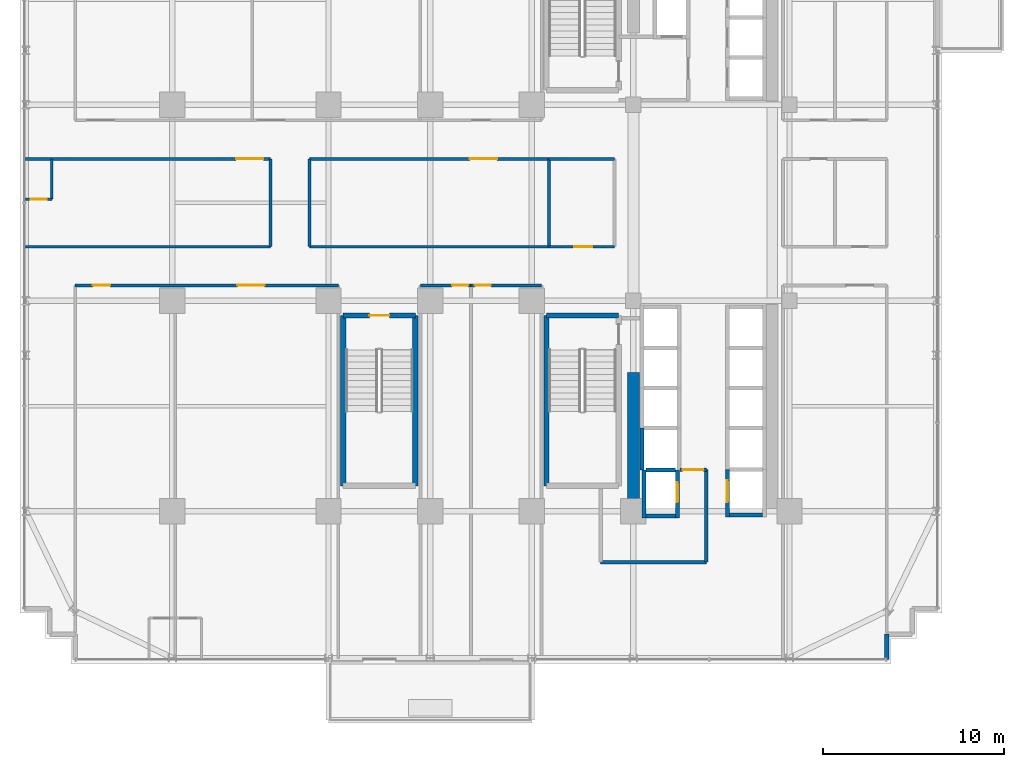
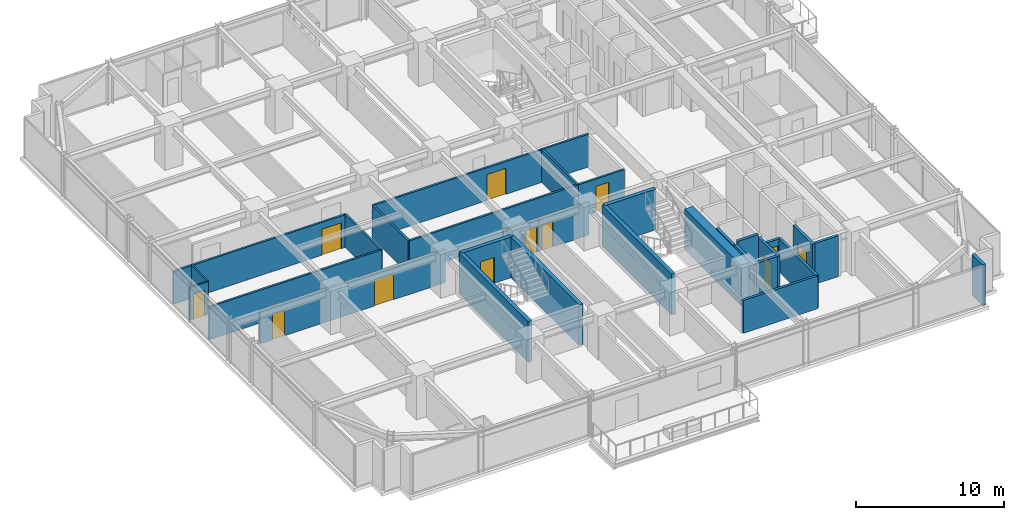
# One storey, part 30 of 36: 31 walls, 12 doors, 12 openings.
"""IFC4 building model written with IfcOpenShell, lengths in metres."""

from ifc_helpers import new_model, si_unit, direction, frame, frame_2d, origin, place, context, subcontext, project, spatial, rectangle, extrude, source, transform, mapped, material, layer, layer_set, type_object, element, fill, save


model = new_model("IFC4")

# Units and contexts
model_context = context("Model", 3, precision=1e-05, world=origin(), true_north=direction((0.0, 1.0)))
body_context = subcontext(model_context, "Body", "Model", "MODEL_VIEW")
ifc_project = project(units=[si_unit("LENGTHUNIT", "METRE"), si_unit("AREAUNIT", "SQUARE_METRE"), si_unit("VOLUMEUNIT", "CUBIC_METRE"), si_unit("PLANEANGLEUNIT", "RADIAN"), si_unit("MASSUNIT", "GRAM", prefix="KILO")], contexts=[model_context])

# Site, building, storey
site_placement = place(None, origin())
site = spatial("IfcSite", under=ifc_project, at=site_placement, CompositionType="ELEMENT")
building_placement = place(site_placement, origin())
building = spatial("IfcBuilding", under=site, at=building_placement, Name="Nahalor Promenade Grand Hotel", CompositionType="ELEMENT")
storey_placement = place(building_placement, frame((0.0, 0.0, 72.550048828125)))
storey = spatial("IfcBuildingStorey", under=building, at=storey_placement, Name="L17", CompositionType="ELEMENT", Elevation=72.550048828125)

# Walls
ifc_material_1 = material(Name="Concrete B-60 (C50/60)", Category="concrete")
ifc_layer_1 = layer(ifc_material_1, 0.64990234375)
ifc_layer_set_1 = layer_set([ifc_layer_1], Name="Concrete B-60 (C50/60)")
wall_type_1 = type_object("IfcWallType", Name="Wall-CoreShear-650", PredefinedType="SHEAR", material=ifc_layer_set_1)
shared_shape_1 = source(origin(), body_context, "Body", "SweptSolid", [
    extrude(rectangle(XDim=7.64990234375, YDim=0.64990234375, at=frame_2d((3.824951171875, 0.0))), origin(), (0.0, 0.0, 1.0), 3.369873046875),
])
wall_1_placement = place(storey_placement, frame((8.39990234375, -17.0, 0.0), z_axis=(0.0, 0.0, 1.0), x_axis=(0.0, 1.0, 0.0)))
element("IfcWall", 1, at=wall_1_placement, inside=storey, type_object=wall_type_1, Name="CWALL-L17-SW", PredefinedType="SHEAR", context=body_context, shape_type="MappedRepresentation", body=[
    mapped(shared_shape_1, transform((0.0, 0.0, 0.0), scale=1.0)),
])
ifc_material_2 = material(Name="Concrete B-50 (C40/50)", Category="concrete")
ifc_layer_2 = layer(ifc_material_2, 0.300048828125)
ifc_layer_set_2 = layer_set([ifc_layer_2], Name="Concrete B-50 (C40/50)")
wall_type_2 = type_object("IfcWallType", Name="Wall-ShaftShear-300", PredefinedType="SHEAR", material=ifc_layer_set_2)
shared_shape_2 = source(origin(), body_context, "Body", "SweptSolid", [
    extrude(rectangle(XDim=3.97998046875, YDim=0.300048828125, at=frame_2d((1.989990234375, 0.0))), origin(), (0.0, 0.0, 1.0), 3.369873046875),
])
wall_2_placement = place(storey_placement, frame((3.610107421875, -6.2099609375, 0.0), z_axis=(0.0, 0.0, 1.0), x_axis=(1.0, 0.0, 0.0)))
element("IfcWall", 2, at=wall_2_placement, inside=storey, type_object=wall_type_2, Name="L17 Exit Stair ST2 Shaft Wall N", PredefinedType="SHEAR", context=body_context, shape_type="MappedRepresentation", body=[
    mapped(shared_shape_2, transform((0.0, 0.0, 0.0), scale=1.0)),
])

# Wall, opening, door
wall_3_placement = place(storey_placement, frame((-7.590087890625, -6.2099609375, 0.0), z_axis=(0.0, 0.0, 1.0), x_axis=(1.0, 0.0, 0.0)))
wall_3 = element("IfcWall", 3, at=wall_3_placement, inside=storey, type_object=wall_type_2, Name="L17 Exit Stair ST3 Shaft Wall N", PredefinedType="SHEAR", context=body_context, shape_type="MappedRepresentation", body=[
    mapped(shared_shape_2, transform((0.0, 0.0, 0.0), scale=1.0)),
])
opening_1_placement = place(wall_3_placement, frame((1.43994140625, 0.0, 0.0)))
opening_1 = element("IfcOpeningElement", 4, at=opening_1_placement, cuts=wall_3, Name="Opening D-ST1", PredefinedType="OPENING", context=body_context, shape_type="SweptSolid", body=[
    extrude(rectangle(XDim=1.10009765625, YDim=2.14990234375, at=frame_2d((0.550048828125, 1.074951171875))), frame((0.0, 0.159912109375, 0.0), z_axis=(0.0, -1.0, 0.0), x_axis=(1.0, 0.0, 0.0)), (0.0, 0.0, 1.0), 0.320068359375),
])
ifc_material_3 = material(Name="Steel S355JR", Category="steel")
door_type_1 = type_object("IfcDoorType", Name="Door-StairFire-1100", OperationType="NOTDEFINED", PredefinedType="DOOR", material=ifc_material_3)
shared_shape_3 = source(origin(), body_context, "Body", "SweptSolid", [
    extrude(rectangle(XDim=1.10009765625, YDim=2.14990234375, at=frame_2d((0.550048828125, 1.074951171875))), frame((0.0, 0.02490234375, 0.0), z_axis=(0.0, -1.0, 0.0), x_axis=(1.0, 0.0, 0.0)), (0.0, 0.0, 1.0), 0.050048828125),
])
door_1_placement = place(opening_1_placement, frame((1.10009765625, 0.0, 0.0), z_axis=(0.0, 0.0, 1.0), x_axis=(-1.0, 0.0, 0.0)))
door_1 = element("IfcDoor", 5, at=door_1_placement, inside=storey, type_object=door_type_1, Name="DR-STAIR-ST3-L17", OperationType="SINGLE_SWING_RIGHT", OverallHeight=2.14990234375, OverallWidth=1.10009765625, PredefinedType="DOOR", context=body_context, shape_type="MappedRepresentation", body=[
    mapped(shared_shape_3, transform((0.0, 0.0, 0.0), scale=1.0)),
])
fill(opening_1, door_1)

# Walls
shared_shape_4 = source(origin(), body_context, "Body", "SweptSolid", [
    extrude(rectangle(XDim=9.380126953125, YDim=0.300048828125, at=frame_2d((4.68994140625, 0.0))), origin(), (0.0, 0.0, 1.0), 3.369873046875),
])
for number, where, z_axis, x_axis, name in (
    (6, (3.610107421875, -15.590087890625, 0.0), (0.0, 0.0, 1.0), (0.0, 1.0, 0.0), "L17 Exit Stair ST2 Shaft Wall W"),
    (7, (-7.590087890625, -15.590087890625, 0.0), (0.0, 0.0, 1.0), (0.0, 1.0, 0.0), "L17 Exit Stair ST3 Shaft Wall W"),
    (8, (-3.610107421875, -15.590087890625, 0.0), (0.0, 0.0, 1.0), (0.0, 1.0, 0.0), "L17 Exit Stair ST3 Shaft Wall E"),
):
    element("IfcWall", number, at=place(storey_placement, frame(where, z_axis=z_axis, x_axis=x_axis)), inside=storey, type_object=wall_type_2, Name=name, PredefinedType="SHEAR", context=body_context, shape_type="MappedRepresentation", body=[
        mapped(shared_shape_4, transform((0.0, 0.0, 0.0), scale=1.0)),
    ])
ifc_layer_3 = layer(ifc_material_2, 0.219970703125)
ifc_layer_set_3 = layer_set([ifc_layer_3], Name="Concrete B-50 (C40/50)")
wall_type_3 = type_object("IfcWallType", Name="Wall-LiftShaft-220", PredefinedType="SHEAR", material=ifc_layer_set_3)
shared_shape_5 = source(origin(), body_context, "Body", "SweptSolid", [
    extrude(rectangle(XDim=1.820068359375, YDim=0.219970703125, at=frame_2d((0.91015625, 0.0))), origin(), (0.0, 0.0, 1.0), 3.369873046875),
])
wall_4_placement = place(storey_placement, frame((13.68994140625, -17.199951171875, 0.0), z_axis=(0.0, 0.0, 1.0), x_axis=(1.0, 0.0, 0.0)))
element("IfcWall", 9, at=wall_4_placement, inside=storey, type_object=wall_type_3, Name="L17 Lift SV2 Hoistway Wall S", PredefinedType="SHEAR", context=body_context, shape_type="MappedRepresentation", body=[
    mapped(shared_shape_5, transform((0.0, 0.0, 0.0), scale=1.0)),
])
shared_shape_6 = source(origin(), body_context, "Body", "SweptSolid", [
    extrude(rectangle(XDim=2.3251953125, YDim=0.219970703125, at=frame_2d((1.16259765625, 0.0))), origin(), (0.0, 0.0, 1.0), 3.369873046875),
])
wall_5_placement = place(storey_placement, frame((8.8798828125, -14.72509765625, 0.0), z_axis=(0.0, 0.0, 1.0), x_axis=(0.0, 1.0, 0.0)))
element("IfcWall", 10, at=wall_5_placement, inside=storey, type_object=wall_type_3, Name="L17 Lift PL12 Hoistway Wall W", PredefinedType="SHEAR", context=body_context, shape_type="MappedRepresentation", body=[
    mapped(shared_shape_6, transform((0.0, 0.0, 0.0), scale=1.0)),
])
shared_shape_7 = source(origin(), body_context, "Body", "SweptSolid", [
    extrude(rectangle(XDim=2.635009765625, YDim=0.219970703125, at=frame_2d((1.3173828125, 0.0))), origin(), (0.0, 0.0, 1.0), 3.369873046875),
])
wall_6_placement = place(storey_placement, frame((8.97998046875, -17.360107421875, 0.0), z_axis=(0.0, 0.0, 1.0), x_axis=(0.0, 1.0, 0.0)))
element("IfcWall", 11, at=wall_6_placement, inside=storey, type_object=wall_type_3, Name="L17 Lift FL2 Hoistway Wall W", PredefinedType="SHEAR", context=body_context, shape_type="MappedRepresentation", body=[
    mapped(shared_shape_7, transform((0.0, 0.0, 0.0), scale=1.0)),
])

# Wall, opening, door
wall_7_placement = place(storey_placement, frame((10.820068359375, -17.360107421875, 0.0), z_axis=(0.0, 0.0, 1.0), x_axis=(0.0, 1.0, 0.0)))
wall_7 = element("IfcWall", 12, at=wall_7_placement, inside=storey, type_object=wall_type_3, Name="L17 Lift FL2 Hoistway Wall E", PredefinedType="SHEAR", context=body_context, shape_type="MappedRepresentation", body=[
    mapped(shared_shape_7, transform((0.0, 0.0, 0.0), scale=1.0)),
])
opening_2_placement = place(wall_7_placement, frame((0.860107421875, 0.0, 0.0)))
opening_2 = element("IfcOpeningElement", 13, at=opening_2_placement, cuts=wall_7, Name="Opening LD-02", PredefinedType="OPENING", context=body_context, shape_type="SweptSolid", body=[
    extrude(rectangle(XDim=1.10009765625, YDim=2.199951171875, at=frame_2d((0.550048828125, 1.10009765625))), frame((0.0, 0.119873046875, 0.0), z_axis=(0.0, -1.0, 0.0), x_axis=(1.0, 0.0, 0.0)), (0.0, 0.0, 1.0), 0.239990234375),
])
door_type_2 = type_object("IfcDoorType", Name="Door-LiftFF-1100", OperationType="DOUBLE_DOOR_SLIDING", PredefinedType="DOOR", material=ifc_material_3)
shared_shape_8 = source(origin(), body_context, "Body", "SweptSolid", [
    extrude(rectangle(XDim=1.10009765625, YDim=2.199951171875, at=frame_2d((0.550048828125, 1.10009765625))), frame((0.0, 0.02490234375, 0.0), z_axis=(0.0, -1.0, 0.0), x_axis=(1.0, 0.0, 0.0)), (0.0, 0.0, 1.0), 0.050048828125),
])
door_2_placement = place(opening_2_placement, frame((1.10009765625, 0.0, 0.0), z_axis=(0.0, 0.0, 1.0), x_axis=(-1.0, 0.0, 0.0)))
door_2 = element("IfcDoor", 14, at=door_2_placement, inside=storey, type_object=door_type_2, Name="DR-LIFT-FL2-L17", OperationType="DOUBLE_DOOR_SLIDING", OverallHeight=2.199951171875, OverallWidth=1.10009765625, PredefinedType="DOOR", context=body_context, shape_type="MappedRepresentation", body=[
    mapped(shared_shape_8, transform((0.0, 0.0, 0.0), scale=1.0)),
])
fill(opening_2, door_2)

# Walls
shared_shape_9 = source(origin(), body_context, "Body", "SweptSolid", [
    extrude(rectangle(XDim=1.619873046875, YDim=0.219970703125, at=frame_2d((0.81005859375, 0.0))), origin(), (0.0, 0.0, 1.0), 3.369873046875),
])
wall_8_placement = place(storey_placement, frame((9.090087890625, -17.25, 0.0), z_axis=(0.0, 0.0, 1.0), x_axis=(1.0, 0.0, 0.0)))
element("IfcWall", 15, at=wall_8_placement, inside=storey, type_object=wall_type_3, Name="L17 Lift FL2 Hoistway Wall S", PredefinedType="SHEAR", context=body_context, shape_type="MappedRepresentation", body=[
    mapped(shared_shape_9, transform((0.0, 0.0, 0.0), scale=1.0)),
])
shared_shape_10 = source(origin(), body_context, "Body", "SweptSolid", [
    extrude(rectangle(XDim=1.619873046875, YDim=0.219970703125, at=frame_2d((0.81005859375, 0.0))), origin(), (0.0, 0.0, 1.0), 3.64990234375),
])
wall_9_placement = place(storey_placement, frame((9.090087890625, -14.72509765625, 0.0), z_axis=(0.0, 0.0, 1.0), x_axis=(1.0, 0.0, 0.0)))
element("IfcWall", 16, at=wall_9_placement, inside=storey, type_object=wall_type_3, Name="L17 Lift FL2 Hoistway Wall N", PredefinedType="SHEAR", context=body_context, shape_type="MappedRepresentation", body=[
    mapped(shared_shape_10, transform((0.0, 0.0, 0.0), scale=1.0)),
])

# Wall, opening, door
shared_shape_11 = source(origin(), body_context, "Body", "SweptSolid", [
    extrude(rectangle(XDim=2.610107421875, YDim=0.219970703125, at=frame_2d((1.30517578125, 0.0))), origin(), (0.0, 0.0, 1.0), 3.369873046875),
])
wall_10_placement = place(storey_placement, frame((13.580078125, -17.31005859375, 0.0), z_axis=(0.0, 0.0, 1.0), x_axis=(0.0, 1.0, 0.0)))
wall_10 = element("IfcWall", 17, at=wall_10_placement, inside=storey, type_object=wall_type_3, Name="L17 Lift SV2 Hoistway Wall W", PredefinedType="SHEAR", context=body_context, shape_type="MappedRepresentation", body=[
    mapped(shared_shape_11, transform((0.0, 0.0, 0.0), scale=1.0)),
])
opening_3_placement = place(wall_10_placement, frame((0.81005859375, 0.0, 0.0)))
opening_3 = element("IfcOpeningElement", 18, at=opening_3_placement, cuts=wall_10, Name="Opening LD-03", PredefinedType="OPENING", context=body_context, shape_type="SweptSolid", body=[
    extrude(rectangle(XDim=1.199951171875, YDim=2.199951171875, at=frame_2d((0.60009765625, 1.10009765625))), frame((0.0, 0.119873046875, 0.0), z_axis=(0.0, -1.0, 0.0), x_axis=(1.0, 0.0, 0.0)), (0.0, 0.0, 1.0), 0.239990234375),
])
door_type_3 = type_object("IfcDoorType", Name="Door-LiftService-1200", OperationType="DOUBLE_DOOR_SLIDING", PredefinedType="DOOR", material=ifc_material_3)
shared_shape_12 = source(origin(), body_context, "Body", "SweptSolid", [
    extrude(rectangle(XDim=1.199951171875, YDim=2.199951171875, at=frame_2d((0.60009765625, 1.10009765625))), frame((0.0, 0.02490234375, 0.0), z_axis=(0.0, -1.0, 0.0), x_axis=(1.0, 0.0, 0.0)), (0.0, 0.0, 1.0), 0.050048828125),
])
door_3_placement = place(opening_3_placement, origin())
door_3 = element("IfcDoor", 19, at=door_3_placement, inside=storey, type_object=door_type_3, Name="DR-LIFT-SV2-L17", OperationType="DOUBLE_DOOR_SLIDING", OverallHeight=2.199951171875, OverallWidth=1.199951171875, PredefinedType="DOOR", context=body_context, shape_type="MappedRepresentation", body=[
    mapped(shared_shape_12, transform((0.0, 0.0, 0.0), scale=1.0)),
])
fill(opening_3, door_3)

# Walls
ifc_material_4 = material(Name="Concrete B-40 (C32/40)", Category="concrete")
ifc_layer_4 = layer(ifc_material_4, 0.25)
ifc_layer_set_4 = layer_set([ifc_layer_4], Name="Concrete B-40 (C32/40)")
wall_type_4 = type_object("IfcWallType", Name="Wall-BronzePier-250", PredefinedType="STANDARD", material=ifc_layer_set_4)
shared_shape_13 = source(origin(), body_context, "Body", "SweptSolid", [
    extrude(rectangle(XDim=1.39990234375, YDim=0.25, at=frame_2d((0.699951171875, 0.0))), origin(), (0.0, 0.0, 1.0), 3.369873046875),
])
wall_11_placement = place(storey_placement, frame((22.360107421875, -25.159912109375, 0.0), z_axis=(0.0, 0.0, 1.0), x_axis=(0.0, 1.0, 0.0)))
element("IfcWall", 20, at=wall_11_placement, inside=storey, type_object=wall_type_4, Name="W-L17-SR-01", PredefinedType="STANDARD", context=body_context, shape_type="MappedRepresentation", body=[
    mapped(shared_shape_13, transform((0.0, 0.0, 0.0), scale=1.0)),
])
ifc_layer_5 = layer(ifc_material_4, 0.199951171875)
ifc_layer_set_5 = layer_set([ifc_layer_5], Name="Concrete B-40 (C32/40)")
wall_type_5 = type_object("IfcWallType", Name="Wall-PartFire-200", PredefinedType="PARTITIONING", material=ifc_layer_set_5)
shared_shape_14 = source(origin(), body_context, "Body", "SweptSolid", [
    extrude(rectangle(XDim=5.81982421875, YDim=0.199951171875, at=frame_2d((2.909912109375, 0.0))), origin(), (0.0, 0.0, 1.0), 2.7099609375),
])
wall_12_placement = place(storey_placement, frame((6.60009765625, -19.800048828125, 0.0), z_axis=(0.0, 0.0, 1.0), x_axis=(1.0, 0.0, 0.0)))
element("IfcWall", 21, at=wall_12_placement, inside=storey, type_object=wall_type_5, Name="W-L17-FF2-S1", PredefinedType="PARTITIONING", context=body_context, shape_type="MappedRepresentation", body=[
    mapped(shared_shape_14, transform((0.0, 0.0, 0.0), scale=1.0)),
])
shared_shape_15 = source(origin(), body_context, "Body", "SweptSolid", [
    extrude(rectangle(XDim=5.10009765625, YDim=0.199951171875, at=frame_2d((2.550048828125, 0.0))), origin(), (0.0, 0.0, 1.0), 2.7099609375),
])
wall_13_placement = place(storey_placement, frame((12.419921875, -19.800048828125, 0.0), z_axis=(0.0, 0.0, 1.0), x_axis=(0.0, 1.0, 0.0)))
element("IfcWall", 22, at=wall_13_placement, inside=storey, type_object=wall_type_5, Name="W-L17-FF2-E", PredefinedType="PARTITIONING", context=body_context, shape_type="MappedRepresentation", body=[
    mapped(shared_shape_15, transform((0.0, 0.0, 0.0), scale=1.0)),
])

# Wall, opening, door
shared_shape_16 = source(origin(), body_context, "Body", "SweptSolid", [
    extrude(rectangle(XDim=1.4599609375, YDim=0.199951171875, at=frame_2d((0.72998046875, 0.0))), origin(), (0.0, 0.0, 1.0), 2.7099609375),
])
wall_14_placement = place(storey_placement, frame((10.9599609375, -14.699951171875, 0.0), z_axis=(0.0, 0.0, 1.0), x_axis=(1.0, 0.0, 0.0)))
wall_14 = element("IfcWall", 23, at=wall_14_placement, inside=storey, type_object=wall_type_5, Name="W-L17-FF2-N1", PredefinedType="PARTITIONING", context=body_context, shape_type="MappedRepresentation", body=[
    mapped(shared_shape_16, transform((0.0, 0.0, 0.0), scale=1.0)),
])
opening_4_placement = place(wall_14_placement, frame((0.14501953125, 0.0, 0.0)))
opening_4 = element("IfcOpeningElement", 24, at=opening_4_placement, cuts=wall_14, Name="Opening D-FF1", PredefinedType="OPENING", context=body_context, shape_type="SweptSolid", body=[
    extrude(rectangle(XDim=1.14990234375, YDim=2.14990234375, at=frame_2d((0.574951171875, 1.074951171875))), frame((0.0, 0.10986328125, 0.0), z_axis=(0.0, -1.0, 0.0), x_axis=(1.0, 0.0, 0.0)), (0.0, 0.0, 1.0), 0.219970703125),
])
door_type_4 = type_object("IfcDoorType", Name="Door-FFLobby-1150", OperationType="NOTDEFINED", PredefinedType="DOOR", material=ifc_material_3)
shared_shape_17 = source(origin(), body_context, "Body", "SweptSolid", [
    extrude(rectangle(XDim=1.14990234375, YDim=2.14990234375, at=frame_2d((0.574951171875, 1.074951171875))), frame((0.0, 0.02490234375, 0.0), z_axis=(0.0, -1.0, 0.0), x_axis=(1.0, 0.0, 0.0)), (0.0, 0.0, 1.0), 0.050048828125),
])
door_4_placement = place(opening_4_placement, origin())
door_4 = element("IfcDoor", 25, at=door_4_placement, inside=storey, type_object=door_type_4, Name="DR-L17-FFL2", OperationType="SINGLE_SWING_LEFT", OverallHeight=2.14990234375, OverallWidth=1.14990234375, PredefinedType="DOOR", context=body_context, shape_type="MappedRepresentation", body=[
    mapped(shared_shape_17, transform((0.0, 0.0, 0.0), scale=1.0)),
])
fill(opening_4, door_4)

ifc_material_5 = material(Name="Acoustic Mineral Gypsum", Category="gypsum")
ifc_layer_6 = layer(ifc_material_5, 0.1201171875)
ifc_layer_set_6 = layer_set([ifc_layer_6], Name="Acoustic Mineral Gypsum")
wall_type_6 = type_object("IfcWallType", Name="Wall-PartBath-120", PredefinedType="PARTITIONING", material=ifc_layer_set_6)
shared_shape_18 = source(origin(), body_context, "Body", "SweptSolid", [
    extrude(rectangle(XDim=1.4501953125, YDim=0.1201171875, at=frame_2d((0.72509765625, 0.0))), origin(), (0.0, 0.0, 1.0), 2.7099609375),
])
wall_15_placement = place(storey_placement, frame((-25.10009765625, 0.199951171875, 0.0), z_axis=(0.0, 0.0, 1.0), x_axis=(1.0, 0.0, 0.0)))
wall_15 = element("IfcWall", 26, at=wall_15_placement, inside=storey, type_object=wall_type_6, Name="W-L17-W1-BH", PredefinedType="PARTITIONING", context=body_context, shape_type="MappedRepresentation", body=[
    mapped(shared_shape_18, transform((0.0, 0.0, 0.0), scale=1.0)),
])
opening_5_placement = place(wall_15_placement, frame((0.284912109375, 0.0, 0.0)))
opening_5 = element("IfcOpeningElement", 27, at=opening_5_placement, cuts=wall_15, Name="Opening D-03", PredefinedType="OPENING", context=body_context, shape_type="SweptSolid", body=[
    extrude(rectangle(XDim=0.8798828125, YDim=2.10009765625, at=frame_2d((0.43994140625, 1.050048828125))), frame((0.0, 0.070068359375, 0.0), z_axis=(0.0, -1.0, 0.0), x_axis=(1.0, 0.0, 0.0)), (0.0, 0.0, 1.0), 0.14013671875),
])
ifc_material_6 = material(Name="Fire-Rated Timber Composite", Category="wood")
door_type_5 = type_object("IfcDoorType", Name="Door-BathSwing-880", OperationType="NOTDEFINED", PredefinedType="DOOR", material=ifc_material_6)
shared_shape_19 = source(origin(), body_context, "Body", "SweptSolid", [
    extrude(rectangle(XDim=0.8798828125, YDim=2.10009765625, at=frame_2d((0.43994140625, 1.050048828125))), frame((0.0, 0.02490234375, 0.0), z_axis=(0.0, -1.0, 0.0), x_axis=(1.0, 0.0, 0.0)), (0.0, 0.0, 1.0), 0.050048828125),
])
door_5_placement = place(opening_5_placement, origin())
door_5 = element("IfcDoor", 28, at=door_5_placement, inside=storey, type_object=door_type_5, Name="DR-L17-W1-BATH", OperationType="SINGLE_SWING_LEFT", OverallHeight=2.10009765625, OverallWidth=0.8798828125, PredefinedType="DOOR", context=body_context, shape_type="MappedRepresentation", body=[
    mapped(shared_shape_19, transform((0.0, 0.0, 0.0), scale=1.0)),
])
fill(opening_5, door_5)

# Wall, openings, doors
ifc_layer_7 = layer(ifc_material_5, 0.159912109375)
ifc_layer_set_7 = layer_set([ifc_layer_7], Name="Acoustic Mineral Gypsum")
wall_type_7 = type_object("IfcWallType", Name="Wall-PartCorridor-160", PredefinedType="PARTITIONING", material=ifc_layer_set_7)
shared_shape_20 = source(origin(), body_context, "Body", "SweptSolid", [
    extrude(rectangle(XDim=14.5, YDim=0.159912109375, at=frame_2d((7.25, 0.0))), origin(), (0.0, 0.0, 1.0), 2.7099609375),
])
wall_16_placement = place(storey_placement, frame((-22.360107421875, -4.550048828125, 0.0), z_axis=(0.0, 0.0, 1.0), x_axis=(1.0, 0.0, 0.0)))
wall_16 = element("IfcWall", 29, at=wall_16_placement, inside=storey, type_object=wall_type_7, Name="W-L17-CORR-S", PredefinedType="PARTITIONING", context=body_context, shape_type="MappedRepresentation", body=[
    mapped(shared_shape_20, transform((0.0, 0.0, 0.0), scale=1.0)),
])
opening_6_placement = place(wall_16_placement, frame((0.97607421875, 0.0, 0.0)))
opening_6 = element("IfcOpeningElement", 30, at=opening_6_placement, cuts=wall_16, Name="Opening D-01", PredefinedType="OPENING", context=body_context, shape_type="SweptSolid", body=[
    extrude(rectangle(XDim=0.949951171875, YDim=2.10009765625, at=frame_2d((0.47509765625, 1.050048828125))), frame((0.0, 0.08984375, 0.0), z_axis=(0.0, -1.0, 0.0), x_axis=(1.0, 0.0, 0.0)), (0.0, 0.0, 1.0), 0.179931640625),
])
opening_7_placement = place(wall_16_placement, frame((8.94091796875, 0.0, 0.0)))
opening_7 = element("IfcOpeningElement", 31, at=opening_7_placement, cuts=wall_16, Name="Opening D-02", PredefinedType="OPENING", context=body_context, shape_type="SweptSolid", body=[
    extrude(rectangle(XDim=1.5, YDim=2.14990234375, at=frame_2d((0.75, 1.074951171875))), frame((0.0, 0.08984375, 0.0), z_axis=(0.0, -1.0, 0.0), x_axis=(1.0, 0.0, 0.0)), (0.0, 0.0, 1.0), 0.179931640625),
])
door_type_6 = type_object("IfcDoorType", Name="Door-SuiteDouble-1500", OperationType="DOUBLE_DOOR_SINGLE_SWING", PredefinedType="DOOR", material=ifc_material_6)
shared_shape_21 = source(origin(), body_context, "Body", "SweptSolid", [
    extrude(rectangle(XDim=1.5, YDim=2.14990234375, at=frame_2d((0.75, 1.074951171875))), frame((0.0, 0.02490234375, 0.0), z_axis=(0.0, -1.0, 0.0), x_axis=(1.0, 0.0, 0.0)), (0.0, 0.0, 1.0), 0.050048828125),
])
door_6_placement = place(opening_7_placement, frame((1.5, 0.0, 0.0), z_axis=(0.0, 0.0, 1.0), x_axis=(-1.0, 0.0, 0.0)))
door_6 = element("IfcDoor", 32, at=door_6_placement, inside=storey, type_object=door_type_6, Name="DR-L17-S2-ENT", OperationType="DOUBLE_DOOR_SINGLE_SWING", OverallHeight=2.14990234375, OverallWidth=1.5, PredefinedType="DOOR", context=body_context, shape_type="MappedRepresentation", body=[
    mapped(shared_shape_21, transform((0.0, 0.0, 0.0), scale=1.0)),
])
fill(opening_7, door_6)
door_type_7 = type_object("IfcDoorType", Name="Door-GuestEntry-950", OperationType="NOTDEFINED", PredefinedType="DOOR", material=ifc_material_6)
shared_shape_22 = source(origin(), body_context, "Body", "SweptSolid", [
    extrude(rectangle(XDim=0.949951171875, YDim=2.10009765625, at=frame_2d((0.47509765625, 1.050048828125))), frame((0.0, 0.02490234375, 0.0), z_axis=(0.0, -1.0, 0.0), x_axis=(1.0, 0.0, 0.0)), (0.0, 0.0, 1.0), 0.050048828125),
])
door_7_placement = place(opening_6_placement, frame((0.949951171875, 0.0, 0.0), z_axis=(0.0, 0.0, 1.0), x_axis=(-1.0, 0.0, 0.0)))
door_7 = element("IfcDoor", 33, at=door_7_placement, inside=storey, type_object=door_type_7, Name="DR-L17-S1-ENT", OperationType="SINGLE_SWING_LEFT", OverallHeight=2.10009765625, OverallWidth=0.949951171875, PredefinedType="DOOR", context=body_context, shape_type="MappedRepresentation", body=[
    mapped(shared_shape_22, transform((0.0, 0.0, 0.0), scale=1.0)),
])
fill(opening_6, door_7)

# Walls
shared_shape_23 = source(origin(), body_context, "Body", "SweptSolid", [
    extrude(rectangle(XDim=4.83984375, YDim=0.159912109375, at=frame_2d((2.419921875, 0.0))), origin(), (0.0, 0.0, 1.0), 2.7099609375),
])
for number, where, z_axis, x_axis, name in (
    (34, (-11.60009765625, -2.419921875, 0.0), (0.0, 0.0, 1.0), (0.0, 1.0, 0.0), "W-L17-WEST-E"),
    (35, (-9.449951171875, -2.419921875, 0.0), (0.0, 0.0, 1.0), (0.0, 1.0, 0.0), "W-L17-CM1-W"),
    (36, (3.75, -2.419921875, 0.0), (0.0, 0.0, 1.0), (0.0, 1.0, 0.0), "W-L17-CM1-E"),
):
    element("IfcWall", number, at=place(storey_placement, frame(where, z_axis=z_axis, x_axis=x_axis)), inside=storey, type_object=wall_type_7, Name=name, PredefinedType="PARTITIONING", context=body_context, shape_type="MappedRepresentation", body=[
        mapped(shared_shape_23, transform((0.0, 0.0, 0.0), scale=1.0)),
    ])
shared_shape_24 = source(origin(), body_context, "Body", "SweptSolid", [
    extrude(rectangle(XDim=2.219970703125, YDim=0.1201171875, at=frame_2d((1.10986328125, 0.0))), origin(), (0.0, 0.0, 1.0), 2.7099609375),
])
wall_17_placement = place(storey_placement, frame((-23.64990234375, 0.199951171875, 0.0), z_axis=(0.0, 0.0, 1.0), x_axis=(0.0, 1.0, 0.0)))
element("IfcWall", 37, at=wall_17_placement, inside=storey, type_object=wall_type_6, Name="W-L17-W1-BV", PredefinedType="PARTITIONING", context=body_context, shape_type="MappedRepresentation", body=[
    mapped(shared_shape_24, transform((0.0, 0.0, 0.0), scale=1.0)),
])

# Wall, opening, door
shared_shape_25 = source(origin(), body_context, "Body", "SweptSolid", [
    extrude(rectangle(XDim=2.7900390625, YDim=0.159912109375, at=frame_2d((1.39501953125, 0.0))), origin(), (0.0, 0.0, 1.0), 2.7099609375),
])
wall_18_placement = place(storey_placement, frame((-3.340087890625, -4.550048828125, 0.0), z_axis=(0.0, 0.0, 1.0), x_axis=(1.0, 0.0, 0.0)))
wall_18 = element("IfcWall", 38, at=wall_18_placement, inside=storey, type_object=wall_type_7, Name="W-L17-SCB1-N", PredefinedType="PARTITIONING", context=body_context, shape_type="MappedRepresentation", body=[
    mapped(shared_shape_25, transform((0.0, 0.0, 0.0), scale=1.0)),
])
opening_8_placement = place(wall_18_placement, frame((1.75, 0.0, 0.0)))
opening_8 = element("IfcOpeningElement", 39, at=opening_8_placement, cuts=wall_18, Name="Opening D-03", PredefinedType="OPENING", context=body_context, shape_type="SweptSolid", body=[
    extrude(rectangle(XDim=0.8798828125, YDim=2.10009765625, at=frame_2d((0.43994140625, 1.050048828125))), frame((0.0, 0.08984375, 0.0), z_axis=(0.0, -1.0, 0.0), x_axis=(1.0, 0.0, 0.0)), (0.0, 0.0, 1.0), 0.179931640625),
])
door_8_placement = place(opening_8_placement, frame((0.8798828125, 0.0, 0.0), z_axis=(0.0, 0.0, 1.0), x_axis=(-1.0, 0.0, 0.0)))
door_8 = element("IfcDoor", 40, at=door_8_placement, inside=storey, type_object=door_type_5, Name="DR-L17-SCB1", OperationType="SINGLE_SWING_LEFT", OverallHeight=2.10009765625, OverallWidth=0.8798828125, PredefinedType="DOOR", context=body_context, shape_type="MappedRepresentation", body=[
    mapped(shared_shape_19, transform((0.0, 0.0, 0.0), scale=1.0)),
])
fill(opening_8, door_8)

shared_shape_26 = source(origin(), body_context, "Body", "SweptSolid", [
    extrude(rectangle(XDim=3.89013671875, YDim=0.159912109375, at=frame_2d((1.945068359375, 0.0))), origin(), (0.0, 0.0, 1.0), 2.7099609375),
])
wall_19_placement = place(storey_placement, frame((-0.550048828125, -4.550048828125, 0.0), z_axis=(0.0, 0.0, 1.0), x_axis=(1.0, 0.0, 0.0)))
wall_19 = element("IfcWall", 41, at=wall_19_placement, inside=storey, type_object=wall_type_7, Name="W-L17-SCB2-N", PredefinedType="PARTITIONING", context=body_context, shape_type="MappedRepresentation", body=[
    mapped(shared_shape_26, transform((0.0, 0.0, 0.0), scale=1.0)),
])
opening_9_placement = place(wall_19_placement, frame((0.2099609375, 0.0, 0.0)))
opening_9 = element("IfcOpeningElement", 42, at=opening_9_placement, cuts=wall_19, Name="Opening D-03", PredefinedType="OPENING", context=body_context, shape_type="SweptSolid", body=[
    extrude(rectangle(XDim=0.8798828125, YDim=2.10009765625, at=frame_2d((0.43994140625, 1.050048828125))), frame((0.0, 0.08984375, 0.0), z_axis=(0.0, -1.0, 0.0), x_axis=(1.0, 0.0, 0.0)), (0.0, 0.0, 1.0), 0.179931640625),
])
door_9_placement = place(opening_9_placement, frame((0.8798828125, 0.0, 0.0), z_axis=(0.0, 0.0, 1.0), x_axis=(-1.0, 0.0, 0.0)))
door_9 = element("IfcDoor", 43, at=door_9_placement, inside=storey, type_object=door_type_5, Name="DR-L17-SCB2", OperationType="SINGLE_SWING_RIGHT", OverallHeight=2.10009765625, OverallWidth=0.8798828125, PredefinedType="DOOR", context=body_context, shape_type="MappedRepresentation", body=[
    mapped(shared_shape_19, transform((0.0, 0.0, 0.0), scale=1.0)),
])
fill(opening_9, door_9)

shared_shape_27 = source(origin(), body_context, "Body", "SweptSolid", [
    extrude(rectangle(XDim=13.5, YDim=0.159912109375, at=frame_2d((6.75, 0.0))), origin(), (0.0, 0.0, 1.0), 2.7099609375),
])
wall_20_placement = place(storey_placement, frame((-25.10009765625, 2.419921875, 0.0), z_axis=(0.0, 0.0, 1.0), x_axis=(1.0, 0.0, 0.0)))
wall_20 = element("IfcWall", 44, at=wall_20_placement, inside=storey, type_object=wall_type_7, Name="W-L17-WEST-N", PredefinedType="PARTITIONING", context=body_context, shape_type="MappedRepresentation", body=[
    mapped(shared_shape_27, transform((0.0, 0.0, 0.0), scale=1.0)),
])
opening_10_placement = place(wall_20_placement, frame((11.614990234375, 0.0, 0.0)))
opening_10 = element("IfcOpeningElement", 45, at=opening_10_placement, cuts=wall_20, Name="Opening D-02", PredefinedType="OPENING", context=body_context, shape_type="SweptSolid", body=[
    extrude(rectangle(XDim=1.5, YDim=2.14990234375, at=frame_2d((0.75, 1.074951171875))), frame((0.0, 0.08984375, 0.0), z_axis=(0.0, -1.0, 0.0), x_axis=(1.0, 0.0, 0.0)), (0.0, 0.0, 1.0), 0.179931640625),
])
door_10_placement = place(opening_10_placement, origin())
door_10 = element("IfcDoor", 46, at=door_10_placement, inside=storey, type_object=door_type_6, Name="DR-L17-W1-ENT", OperationType="DOUBLE_DOOR_SINGLE_SWING", OverallHeight=2.14990234375, OverallWidth=1.5, PredefinedType="DOOR", context=body_context, shape_type="MappedRepresentation", body=[
    mapped(shared_shape_21, transform((0.0, 0.0, 0.0), scale=1.0)),
])
fill(opening_10, door_10)

# Walls
wall_21_placement = place(storey_placement, frame((-25.10009765625, -2.419921875, 0.0), z_axis=(0.0, 0.0, 1.0), x_axis=(1.0, 0.0, 0.0)))
element("IfcWall", 47, at=wall_21_placement, inside=storey, type_object=wall_type_7, Name="W-L17-WEST-S", PredefinedType="PARTITIONING", context=body_context, shape_type="MappedRepresentation", body=[
    mapped(shared_shape_27, transform((0.0, 0.0, 0.0), scale=1.0)),
])
shared_shape_28 = source(origin(), body_context, "Body", "SweptSolid", [
    extrude(rectangle(XDim=13.199951171875, YDim=0.159912109375, at=frame_2d((6.60009765625, 0.0))), origin(), (0.0, 0.0, 1.0), 2.7099609375),
])
wall_22_placement = place(storey_placement, frame((-9.449951171875, -2.419921875, 0.0), z_axis=(0.0, 0.0, 1.0), x_axis=(1.0, 0.0, 0.0)))
element("IfcWall", 48, at=wall_22_placement, inside=storey, type_object=wall_type_7, Name="W-L17-CM1-S", PredefinedType="PARTITIONING", context=body_context, shape_type="MappedRepresentation", body=[
    mapped(shared_shape_28, transform((0.0, 0.0, 0.0), scale=1.0)),
])

# Wall, opening, door
wall_23_placement = place(storey_placement, frame((-9.449951171875, 2.419921875, 0.0), z_axis=(0.0, 0.0, 1.0), x_axis=(1.0, 0.0, 0.0)))
wall_23 = element("IfcWall", 49, at=wall_23_placement, inside=storey, type_object=wall_type_7, Name="W-L17-CM1-N", PredefinedType="PARTITIONING", context=body_context, shape_type="MappedRepresentation", body=[
    mapped(shared_shape_28, transform((0.0, 0.0, 0.0), scale=1.0)),
])
opening_11_placement = place(wall_23_placement, frame((8.833984375, 0.0, 0.0)))
opening_11 = element("IfcOpeningElement", 50, at=opening_11_placement, cuts=wall_23, Name="Opening D-02", PredefinedType="OPENING", context=body_context, shape_type="SweptSolid", body=[
    extrude(rectangle(XDim=1.5, YDim=2.14990234375, at=frame_2d((0.75, 1.074951171875))), frame((0.0, 0.08984375, 0.0), z_axis=(0.0, -1.0, 0.0), x_axis=(1.0, 0.0, 0.0)), (0.0, 0.0, 1.0), 0.179931640625),
])
door_11_placement = place(opening_11_placement, frame((1.5, 0.0, 0.0), z_axis=(0.0, 0.0, 1.0), x_axis=(-1.0, 0.0, 0.0)))
door_11 = element("IfcDoor", 51, at=door_11_placement, inside=storey, type_object=door_type_6, Name="DR-L17-CM1", OperationType="DOUBLE_DOOR_SINGLE_SWING", OverallHeight=2.14990234375, OverallWidth=1.5, PredefinedType="DOOR", context=body_context, shape_type="MappedRepresentation", body=[
    mapped(shared_shape_21, transform((0.0, 0.0, 0.0), scale=1.0)),
])
fill(opening_11, door_11)

shared_shape_29 = source(origin(), body_context, "Body", "SweptSolid", [
    extrude(rectangle(XDim=3.60009765625, YDim=0.159912109375, at=frame_2d((1.800048828125, 0.0))), origin(), (0.0, 0.0, 1.0), 2.7099609375),
])
wall_24_placement = place(storey_placement, frame((3.75, -2.419921875, 0.0), z_axis=(0.0, 0.0, 1.0), x_axis=(1.0, 0.0, 0.0)))
wall_24 = element("IfcWall", 52, at=wall_24_placement, inside=storey, type_object=wall_type_7, Name="W-L17-CM2-S", PredefinedType="PARTITIONING", context=body_context, shape_type="MappedRepresentation", body=[
    mapped(shared_shape_29, transform((0.0, 0.0, 0.0), scale=1.0)),
])
opening_12_placement = place(wall_24_placement, frame((1.3798828125, 0.0, 0.0)))
opening_12 = element("IfcOpeningElement", 53, at=opening_12_placement, cuts=wall_24, Name="Opening D-04", PredefinedType="OPENING", context=body_context, shape_type="SweptSolid", body=[
    extrude(rectangle(XDim=1.0, YDim=2.10009765625, at=frame_2d((0.5, 1.050048828125))), frame((0.0, 0.08984375, 0.0), z_axis=(0.0, -1.0, 0.0), x_axis=(1.0, 0.0, 0.0)), (0.0, 0.0, 1.0), 0.179931640625),
])
door_type_8 = type_object("IfcDoorType", Name="Door-ServiceFire-1000", OperationType="NOTDEFINED", PredefinedType="DOOR", material=ifc_material_3)
shared_shape_30 = source(origin(), body_context, "Body", "SweptSolid", [
    extrude(rectangle(XDim=1.0, YDim=2.10009765625, at=frame_2d((0.5, 1.050048828125))), frame((0.0, 0.02490234375, 0.0), z_axis=(0.0, -1.0, 0.0), x_axis=(1.0, 0.0, 0.0)), (0.0, 0.0, 1.0), 0.050048828125),
])
door_12_placement = place(opening_12_placement, origin())
door_12 = element("IfcDoor", 54, at=door_12_placement, inside=storey, type_object=door_type_8, Name="DR-L17-CM2", OperationType="SINGLE_SWING_RIGHT", OverallHeight=2.10009765625, OverallWidth=1.0, PredefinedType="DOOR", context=body_context, shape_type="MappedRepresentation", body=[
    mapped(shared_shape_30, transform((0.0, 0.0, 0.0), scale=1.0)),
])
fill(opening_12, door_12)

# Wall
wall_25_placement = place(storey_placement, frame((3.75, 2.419921875, 0.0), z_axis=(0.0, 0.0, 1.0), x_axis=(1.0, 0.0, 0.0)))
element("IfcWall", 55, at=wall_25_placement, inside=storey, type_object=wall_type_7, Name="W-L17-CM2-N", PredefinedType="PARTITIONING", context=body_context, shape_type="MappedRepresentation", body=[
    mapped(shared_shape_29, transform((0.0, 0.0, 0.0), scale=1.0)),
])

save(model, "model.ifc")
